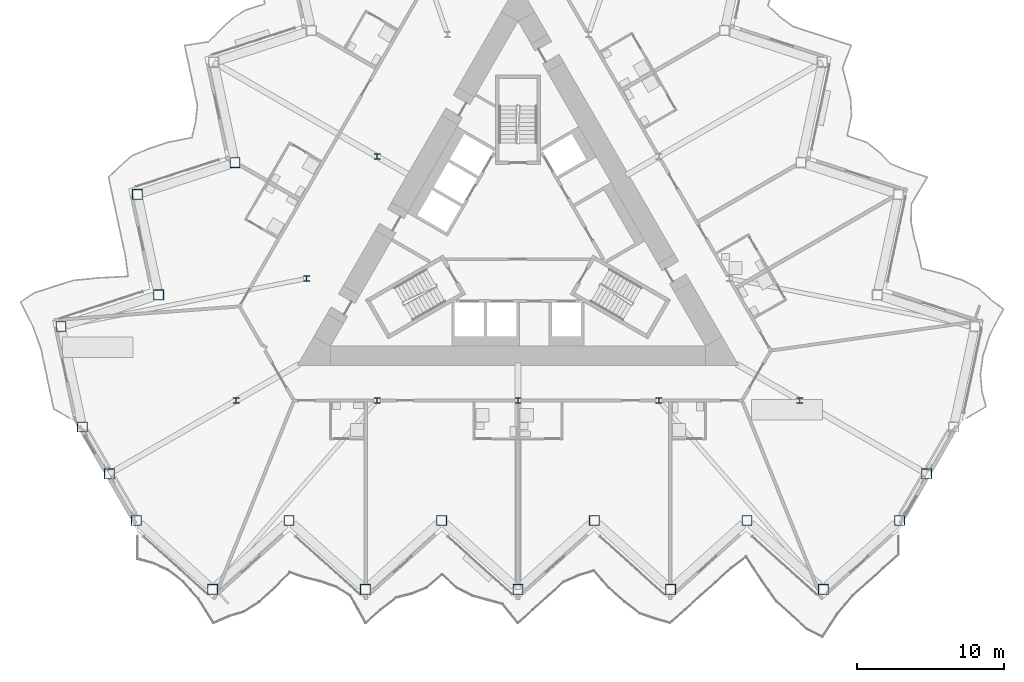
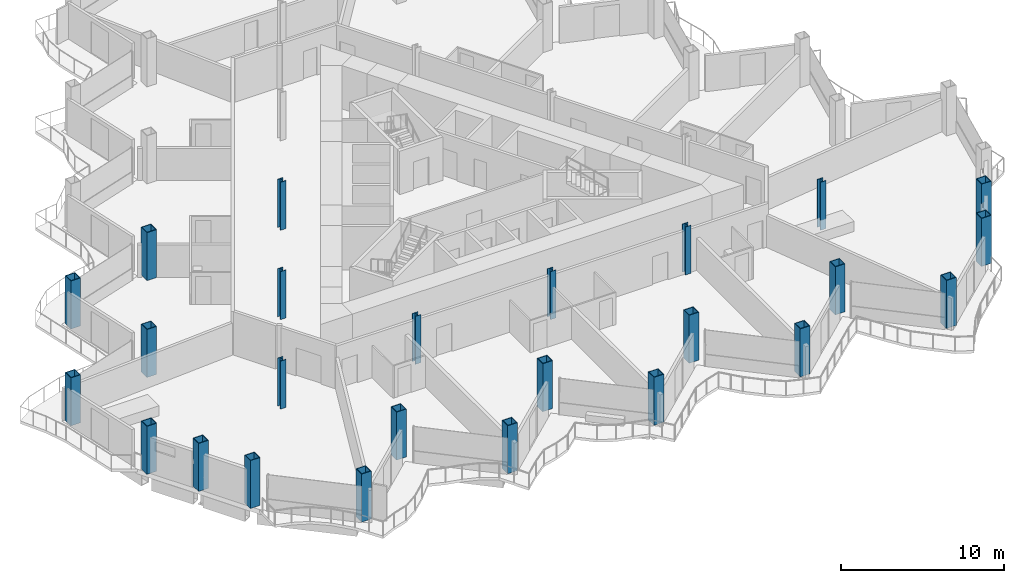
# One storey, part 1 of 24: 25 columns.
"""IFC4 building model written with IfcOpenShell, lengths in metres."""

from ifc_helpers import new_model, si_unit, direction, frame, origin, origin_2d, place, context, subcontext, project, spatial, hollow_rectangle, i_section, extrude, material, material_profile, profile_set, type_object, element, save


model = new_model("IFC4")

# Units and contexts
model_context = context("Model", 3, precision=1e-05, world=origin(), true_north=direction((0.0, 1.0)))
body_context = subcontext(model_context, "Body", "Model", "MODEL_VIEW")
ifc_project = project(units=[si_unit("LENGTHUNIT", "METRE"), si_unit("AREAUNIT", "SQUARE_METRE"), si_unit("VOLUMEUNIT", "CUBIC_METRE"), si_unit("PLANEANGLEUNIT", "RADIAN"), si_unit("MASSUNIT", "GRAM", prefix="KILO")], contexts=[model_context])

# Site, building, storey
site_placement = place(None, origin())
site = spatial("IfcSite", under=ifc_project, at=site_placement, CompositionType="ELEMENT")
building_placement = place(site_placement, origin())
building = spatial("IfcBuilding", under=site, at=building_placement, Name="Cormorant Prow Tower", CompositionType="ELEMENT")
storey_placement = place(building_placement, frame((0.0, 0.0, 231.0)))
storey = spatial("IfcBuildingStorey", under=building, at=storey_placement, Name="L50", CompositionType="ELEMENT", Elevation=231.0)

# Columns
ifc_material_1 = material(Name="Structural steel ASTM A572 Gr 50", Category="steel")
ifc_material_profile_1 = material_profile(ifc_material_1, hollow_rectangle(XDim=0.699951171875, YDim=0.699951171875, WallThickness=0.044921875, at=origin_2d()), Name="Box 700x700x45")
ifc_profile_set_1 = profile_set([ifc_material_profile_1], Name="Structural steel ASTM A572 Gr 50")
column_type_1 = type_object("IfcColumnType", Name="Perimeter box column 700x700x45", PredefinedType="COLUMN", material=ifc_profile_set_1)
for number, where, z_axis, x_axis, name in (
    (1, (-25.941162109375, -19.21533203125, 0.0), (0.0, 0.0, 1.0), (1.0, 0.0, 0.0), "Perimeter column C5 at S00 L50"),
    (2, (-20.7529296875, -23.886962890625, 0.0), (0.0, 0.0, 1.0), (1.0, 0.0, 0.0), "Perimeter column C5 at S01 L50"),
    (3, (-15.564697265625, -19.21533203125, 0.0), (0.0, 0.0, 1.0), (1.0, 0.0, 0.0), "Perimeter column C5 at S02 L50"),
    (4, (-10.37646484375, -23.886962890625, 0.0), (0.0, 0.0, 1.0), (1.0, 0.0, 0.0), "Perimeter column C5 at S03 L50"),
    (5, (-5.188232421875, -19.21533203125, 0.0), (0.0, 0.0, 1.0), (1.0, 0.0, 0.0), "Perimeter column C5 at S04 L50"),
    (6, (0.0, -23.886962890625, 0.0), (0.0, 0.0, 1.0), (1.0, 0.0, 0.0), "Perimeter column C5 at S05 L50"),
    (7, (5.188232421875, -19.21533203125, 0.0), (0.0, 0.0, 1.0), (1.0, 0.0, 0.0), "Perimeter column C5 at S06 L50"),
    (8, (10.37646484375, -23.886962890625, 0.0), (0.0, 0.0, 1.0), (1.0, 0.0, 0.0), "Perimeter column C5 at S07 L50"),
    (9, (15.564697265625, -19.21533203125, 0.0), (0.0, 0.0, 1.0), (1.0, 0.0, 0.0), "Perimeter column C5 at S08 L50"),
    (10, (20.7529296875, -23.886962890625, 0.0), (0.0, 0.0, 1.0), (1.0, 0.0, 0.0), "Perimeter column C5 at S09 L50"),
    (11, (25.941162109375, -19.21533203125, 0.0), (0.0, 0.0, 1.0), (1.0, 0.0, 0.0), "Perimeter column C5 at ESE00 L50"),
    (12, (27.7763671875, -16.03662109375, 0.0), (0.0, 0.0, 1.0), (1.0, 0.0, 0.0), "Perimeter column C5 at ESE01 L50"),
    (13, (-19.235107421875, 5.114501953125, 0.0), (0.0, 0.0, 1.0), (1.0, 0.0, 0.0), "Perimeter column C5 at WNW06 L50"),
    (14, (-25.875, 2.957275390625, 0.0), (0.0, 0.0, 1.0), (1.0, 0.0, 0.0), "Perimeter column C5 at WNW07 L50"),
    (15, (-24.42333984375, -3.871826171875, 0.0), (0.0, 0.0, 1.0), (1.0, 0.0, 0.0), "Perimeter column C5 at WNW08 L50"),
    (16, (-31.063232421875, -6.029052734375, 0.0), (0.0, 0.0, 1.0), (1.0, 0.0, 0.0), "Perimeter column C5 at WNW09 L50"),
    (17, (-29.611572265625, -12.858154296875, 0.0), (0.0, 0.0, 1.0), (1.0, 0.0, 0.0), "Perimeter column C5 at WSW00 L50"),
    (18, (-27.7763671875, -16.03662109375, 0.0), (0.0, 0.0, 1.0), (1.0, 0.0, 0.0), "Perimeter column C5 at WSW01 L50"),
):
    element("IfcColumn", number, at=place(storey_placement, frame(where, z_axis=z_axis, x_axis=x_axis)), inside=storey, type_object=column_type_1, Name=name, PredefinedType="COLUMN", context=body_context, shape_type="SweptSolid", body=[
        extrude(hollow_rectangle(XDim=0.699951171875, YDim=0.699951171875, WallThickness=0.044921875, at=origin_2d()), origin(), (0.0, 0.0, 1.0), 3.60009765625),
    ])
ifc_material_2 = material(Name="Structural steel ASTM A992 Gr 50", Category="steel")
ifc_material_profile_2 = material_profile(ifc_material_2, i_section(OverallWidth=0.39892578125, OverallDepth=0.393310546875, WebThickness=0.022705078125, FlangeThickness=0.03662109375, at=origin_2d()), Name="W14x193")
ifc_profile_set_2 = profile_set([ifc_material_profile_2], Name="Structural steel ASTM A992 Gr 50")
column_type_2 = type_object("IfcColumnType", Name="Ring column W14x193", PredefinedType="COLUMN", material=ifc_profile_set_2)
for number, where, z_axis, x_axis, name in (
    (19, (-9.578369140625, 5.530029296875, 0.0), (0.0, 0.0, 1.0), (1.0, 0.0, 0.0), "Ring column 3 L50"),
    (20, (-14.36767578125, -2.76513671875, 0.0), (0.0, 0.0, 1.0), (1.0, 0.0, 0.0), "Ring column 4 L50"),
    (21, (-19.156982421875, -11.060302734375, 0.0), (0.0, 0.0, 1.0), (1.0, 0.0, 0.0), "Ring column 5 L50"),
    (22, (-9.578369140625, -11.060302734375, 0.0), (0.0, 0.0, 1.0), (1.0, 0.0, 0.0), "Ring column 6 L50"),
    (23, (0.0, -11.060302734375, 0.0), (0.0, 0.0, 1.0), (1.0, 0.0, 0.0), "Ring column 7 L50"),
    (24, (9.578369140625, -11.060302734375, 0.0), (0.0, 0.0, 1.0), (1.0, 0.0, 0.0), "Ring column 8 L50"),
    (25, (19.156982421875, -11.060302734375, 0.0), (0.0, 0.0, 1.0), (1.0, 0.0, 0.0), "Ring column 9 L50"),
):
    element("IfcColumn", number, at=place(storey_placement, frame(where, z_axis=z_axis, x_axis=x_axis)), inside=storey, type_object=column_type_2, Name=name, PredefinedType="COLUMN", context=body_context, shape_type="SweptSolid", body=[
        extrude(i_section(OverallWidth=0.39892578125, OverallDepth=0.393310546875, WebThickness=0.022705078125, FlangeThickness=0.03662109375, at=origin_2d()), origin(), (0.0, 0.0, 1.0), 3.60009765625),
    ])

save(model, "model.ifc")
